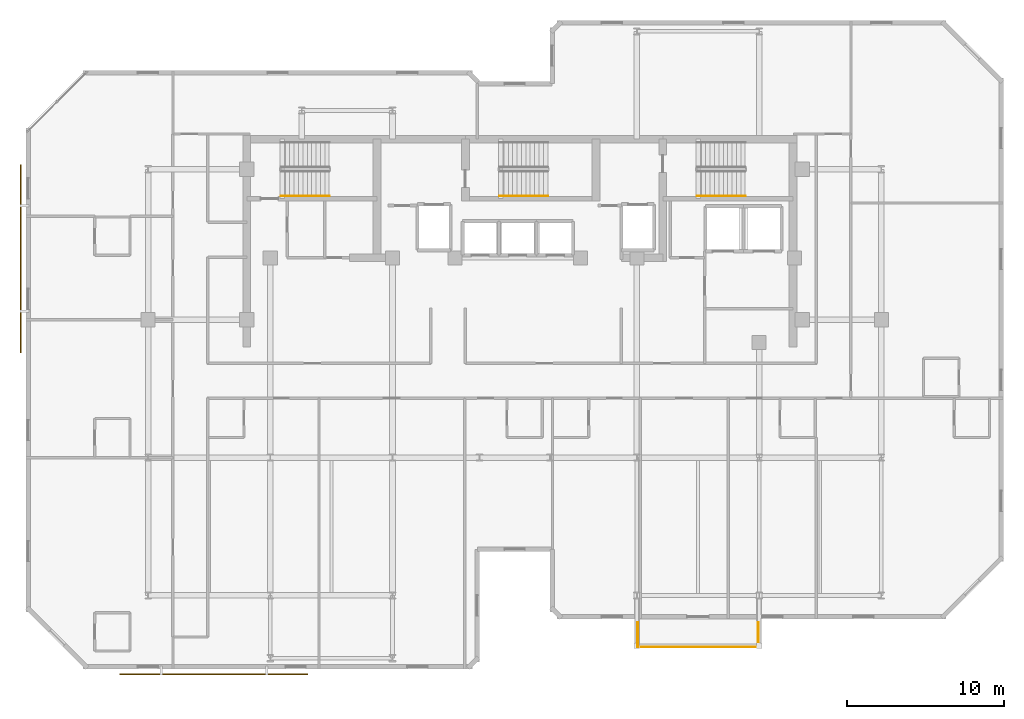
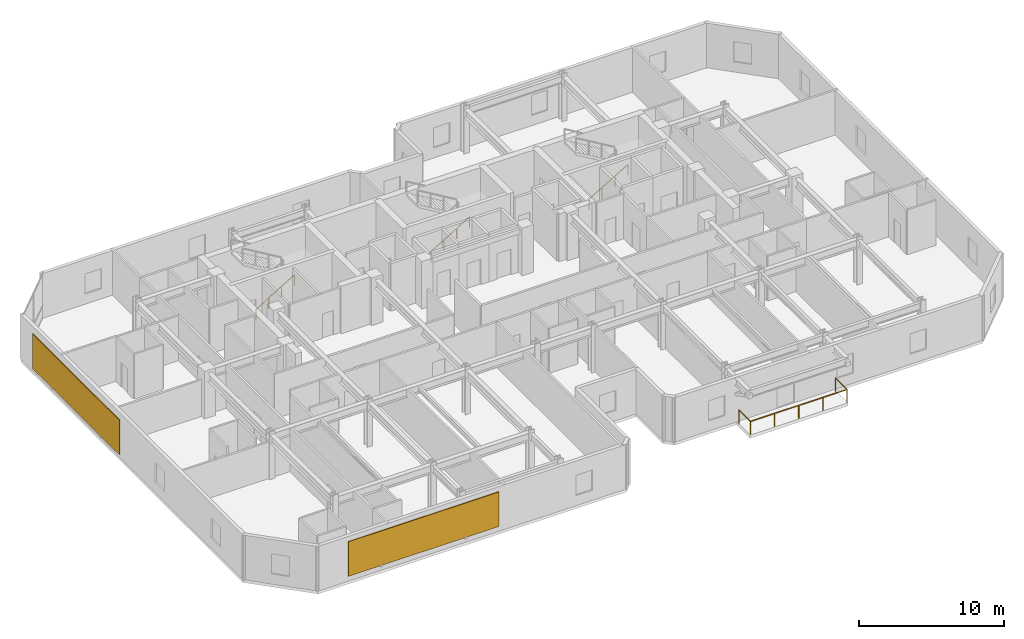
# One storey, part 9 of 10: 5 railings, 2 shading devices.
"""IFC4 building model written with IfcOpenShell, lengths in metres."""

from ifc_helpers import new_model, si_unit, direction, frame, origin, origin_2d, place, context, subcontext, project, spatial, rectangle, circle, extrude, material, layer, layer_set, type_object, element, save


model = new_model("IFC4")

# Units and contexts
model_context = context("Model", 3, precision=1e-05, world=origin(), true_north=direction((0.0, 1.0)))
body_context = subcontext(model_context, "Body", "Model", "MODEL_VIEW")
ifc_project = project(units=[si_unit("LENGTHUNIT", "METRE"), si_unit("AREAUNIT", "SQUARE_METRE"), si_unit("VOLUMEUNIT", "CUBIC_METRE"), si_unit("PLANEANGLEUNIT", "RADIAN"), si_unit("MASSUNIT", "GRAM", prefix="KILO")], contexts=[model_context])

# Site, building, storey
site_placement = place(None, origin())
site = spatial("IfcSite", under=ifc_project, at=site_placement, CompositionType="ELEMENT")
building_placement = place(site_placement, origin())
building = spatial("IfcBuilding", under=site, at=building_placement, Name="Kestravale Grand Hotel", CompositionType="ELEMENT")
storey_placement = place(building_placement, frame((0.0, 0.0, 285.39990234375)))
storey = spatial("IfcBuildingStorey", under=building, at=storey_placement, Name="L71", CompositionType="ELEMENT", Elevation=285.39990234375)

# Railings
ifc_material_1 = material(Name="Champagne-bronze stainless steel and laminated glass guard", Category="steel")
railing_type_1 = type_object("IfcRailingType", Name="RL-EXT-1100", PredefinedType="GUARDRAIL", material=ifc_material_1)
railing_1_placement = place(storey_placement, frame((46.860107421875, 7.909912109375, 0.0)))
element("IfcRailing", 1, at=railing_1_placement, inside=storey, type_object=railing_type_1, Name="L71 outdoor terrace guard 1", PredefinedType="GUARDRAIL", context=body_context, shape_type="SweptSolid", body=[
    extrude(circle(Radius=0.02392578125, at=origin_2d()), frame((0.0, 0.0, 1.09619140625), z_axis=(0.0, 1.0, 0.0), x_axis=(-1.0, 0.0, 0.0)), (0.0, 0.0, 1.0), 1.570068359375),
    extrude(circle(Radius=0.02099609375, at=origin_2d()), origin(), (0.0, 0.0, 1.0), 1.072021484375),
    extrude(circle(Radius=0.02099609375, at=origin_2d()), frame((0.0, 1.570068359375, 0.0)), (0.0, 0.0, 1.0), 1.072021484375),
])
railing_2_placement = place(storey_placement, frame((54.5400390625, 9.47998046875, 0.0)))
element("IfcRailing", 2, at=railing_2_placement, inside=storey, type_object=railing_type_1, Name="L71 outdoor terrace guard 2", PredefinedType="GUARDRAIL", context=body_context, shape_type="SweptSolid", body=[
    extrude(circle(Radius=0.02392578125, at=origin_2d()), frame((0.0, 0.0, 1.09619140625), z_axis=(0.0, -1.0, 0.0), x_axis=(1.0, 0.0, 0.0)), (0.0, 0.0, 1.0), 1.570068359375),
    extrude(circle(Radius=0.02392578125, at=origin_2d()), frame((0.0, -1.570068359375, 1.09619140625), z_axis=(-1.0, 0.0, 0.0), x_axis=(0.0, -1.0, 0.0)), (0.0, 0.0, 1.0), 7.679931640625),
    extrude(circle(Radius=0.02099609375, at=origin_2d()), origin(), (0.0, 0.0, 1.0), 1.072021484375),
    extrude(circle(Radius=0.02099609375, at=origin_2d()), frame((0.0, -1.570068359375, 0.0)), (0.0, 0.0, 1.0), 1.072021484375),
    extrude(circle(Radius=0.02099609375, at=origin_2d()), frame((-1.919921875, -1.570068359375, 0.0)), (0.0, 0.0, 1.0), 1.072021484375),
    extrude(circle(Radius=0.02099609375, at=origin_2d()), frame((-3.83984375, -1.570068359375, 0.0)), (0.0, 0.0, 1.0), 1.072021484375),
    extrude(circle(Radius=0.02099609375, at=origin_2d()), frame((-5.760009765625, -1.570068359375, 0.0)), (0.0, 0.0, 1.0), 1.072021484375),
    extrude(circle(Radius=0.02099609375, at=origin_2d()), frame((-7.679931640625, -1.570068359375, 0.0)), (0.0, 0.0, 1.0), 1.072021484375),
])
ifc_material_2 = material(Name="Brushed stainless steel wall handrail", Category="steel")
railing_type_2 = type_object("IfcRailingType", Name="RL-ST-HND900", PredefinedType="HANDRAIL", material=ifc_material_2)
railing_3_placement = place(storey_placement, frame((24.080078125, 36.699951171875, 0.166748046875)))
element("IfcRailing", 3, at=railing_3_placement, inside=storey, type_object=railing_type_2, Name="L71 ST-1 stair handrail 1", PredefinedType="HANDRAIL", context=body_context, shape_type="SweptSolid", body=[
    extrude(circle(Radius=0.02392578125, at=origin_2d()), frame((0.0, 0.0, 0.8759765625), z_axis=(0.859290745958, 0.0, 0.51148745235), x_axis=(0.0, 1.0, 0.0)), (0.0, 0.0, 1.0), 3.584228515625),
    extrude(circle(Radius=0.02099609375, at=origin_2d()), origin(), (0.0, 0.0, 1.0), 0.851806640625),
    extrude(circle(Radius=0.02099609375, at=origin_2d()), frame((1.026611328125, 0.0, 0.611083984375)), (0.0, 0.0, 1.0), 0.851806640625),
    extrude(circle(Radius=0.02099609375, at=origin_2d()), frame((2.05322265625, 0.0, 1.22216796875)), (0.0, 0.0, 1.0), 0.851806640625),
    extrude(circle(Radius=0.02099609375, at=origin_2d()), frame((3.079833984375, 0.0, 1.833251953125)), (0.0, 0.0, 1.0), 0.851806640625),
])
for number, where, name in (
    (4, (38.030029296875, 36.699951171875, 0.166748046875), "L71 ST-2 stair handrail 1"),
    (5, (50.6298828125, 36.699951171875, 0.166748046875), "L71 ST-3 stair handrail 1"),
):
    element("IfcRailing", number, at=place(storey_placement, frame(where)), inside=storey, type_object=railing_type_2, Name=name, PredefinedType="HANDRAIL", context=body_context, shape_type="SweptSolid", body=[
        extrude(circle(Radius=0.02392578125, at=origin_2d()), frame((0.0, 0.0, 0.8759765625), z_axis=(0.859308565015, 0.0, 0.511457515432), x_axis=(0.0, 1.0, 0.0)), (0.0, 0.0, 1.0), 3.58447265625),
        extrude(circle(Radius=0.02099609375, at=origin_2d()), origin(), (0.0, 0.0, 1.0), 0.851806640625),
        extrude(circle(Radius=0.02099609375, at=origin_2d()), frame((1.026611328125, 0.0, 0.611083984375)), (0.0, 0.0, 1.0), 0.851806640625),
        extrude(circle(Radius=0.02099609375, at=origin_2d()), frame((2.053466796875, 0.0, 1.22216796875)), (0.0, 0.0, 1.0), 0.851806640625),
        extrude(circle(Radius=0.02099609375, at=origin_2d()), frame((3.080078125, 0.0, 1.833251953125)), (0.0, 0.0, 1.0), 0.851806640625),
    ])

# Shading devices
ifc_material_3 = material(Name="Perforated champagne-bronze aluminium and ceramic solar screen", Category="aluminium")
ifc_layer = layer(ifc_material_3, 0.06494140625)
ifc_layer_set = layer_set([ifc_layer], Name="SHD-SCR-CHEV")
shading_device_type = type_object("IfcShadingDeviceType", Name="SHD-SCR-CHEV", PredefinedType="USERDEFINED", material=ifc_layer_set)
for number, where, z_axis, x_axis, name in (
    (6, (19.800048828125, 6.159912109375, 0.7001953125), (0.0, 0.0, 1.0), (1.0, 0.0, 0.0), "L71 Perforated bronze ceramic chevron solar screen SCR-L71-01"),
    (7, (7.4599609375, 32.699951171875, 0.7001953125), (0.0, 0.0, 1.0), (0.0, -1.0, 0.0), "L71 Perforated bronze ceramic chevron solar screen SCR-L71-19"),
):
    element("IfcShadingDevice", number, at=place(storey_placement, frame(where, z_axis=z_axis, x_axis=x_axis)), inside=storey, type_object=shading_device_type, Name=name, ObjectType="SCREEN", PredefinedType="USERDEFINED", context=body_context, shape_type="SweptSolid", body=[
        extrude(rectangle(XDim=12.0, YDim=0.06494140625, at=origin_2d()), origin(), (0.0, 0.0, 1.0), 2.909912109375),
    ])

save(model, "model.ifc")
